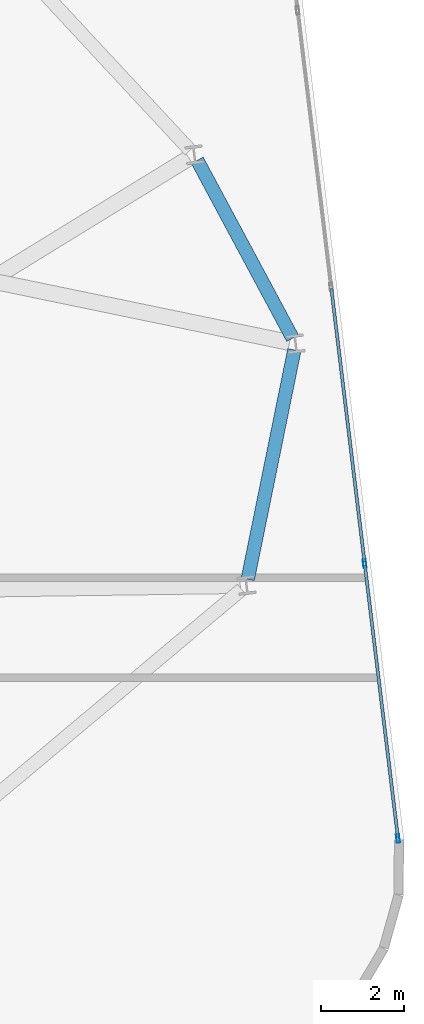
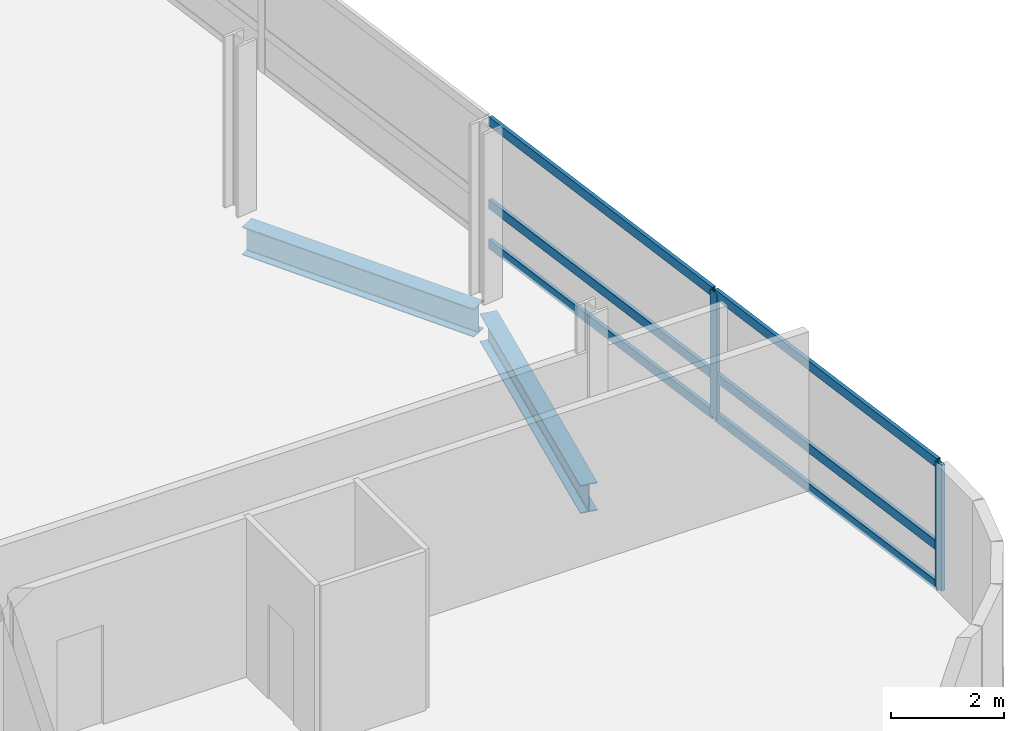
# One storey, part 10 of 23: 8 members, 2 beams, 1 element without a shape of its own.
"""IFC4 building model written with IfcOpenShell, lengths in metres."""

from ifc_helpers import new_model, si_unit, direction, frame, origin, origin_2d, place, context, subcontext, project, spatial, hollow_rectangle, i_section, extrude, material, layer, layer_set, material_profile, profile_set, type_object, element, aggregate, save


model = new_model("IFC4")

# Units and contexts
model_context = context("Model", 3, precision=1e-05, world=origin(), true_north=direction((0.0, 1.0)))
body_context = subcontext(model_context, "Body", "Model", "MODEL_VIEW")
ifc_project = project(units=[si_unit("LENGTHUNIT", "METRE"), si_unit("AREAUNIT", "SQUARE_METRE"), si_unit("VOLUMEUNIT", "CUBIC_METRE"), si_unit("PLANEANGLEUNIT", "RADIAN"), si_unit("MASSUNIT", "GRAM", prefix="KILO")], contexts=[model_context])

# Site, building, storey
site_placement = place(None, origin())
site = spatial("IfcSite", under=ifc_project, at=site_placement, CompositionType="ELEMENT")
building_placement = place(site_placement, origin())
building = spatial("IfcBuilding", under=site, at=building_placement, Name="Varnelok Gate Tower", CompositionType="ELEMENT")
storey_placement = place(building_placement, frame((0.0, 0.0, 174.60009765625)))
storey = spatial("IfcBuildingStorey", under=building, at=storey_placement, Name="L44", CompositionType="ELEMENT", Elevation=174.60009765625)

# Beams
ifc_material_1 = material(Name="Structural Steel ASTM A992 Grade 50", Category="steel")
ifc_material_profile_1 = material_profile(ifc_material_1, i_section(OverallWidth=0.323974609375, OverallDepth=0.611083984375, WebThickness=0.0126953125, FlangeThickness=0.01904296875, FilletRadius=0.01806640625, at=origin_2d()), Name="W24X104")
ifc_profile_set_1 = profile_set([ifc_material_profile_1], Name="Structural Steel ASTM A992 Grade 50")
beam_type = type_object("IfcBeamType", Name="BM-SPN-W24X104", PredefinedType="SPANDREL", material=ifc_profile_set_1)
beam_1_placement = place(storey_placement, frame((72.5068359375, 19.206298828125, -0.5556640625), z_axis=(0.19911018886, 0.979977108249, 0.0), x_axis=(-0.979977108249, 0.19911018886, 0.0)))
element("IfcBeam", 1, at=beam_1_placement, inside=storey, type_object=beam_type, Name="L44 Perimeter Spandrel Beam 6", PredefinedType="SPANDREL", context=body_context, shape_type="SweptSolid", body=[
    extrude(i_section(OverallWidth=0.323974609375, OverallDepth=0.611083984375, WebThickness=0.0126953125, FlangeThickness=0.01904296875, FilletRadius=0.01806640625, at=origin_2d()), origin(), (0.0, 0.0, 1.0), 5.612060546875),
])
beam_2_placement = place(storey_placement, frame((73.583251953125, 24.9853515625, -0.5556640625), z_axis=(-0.472471917257, 0.881345725242, 0.0), x_axis=(-0.881345725242, -0.472471917257, 0.0)))
element("IfcBeam", 2, at=beam_2_placement, inside=storey, type_object=beam_type, Name="L44 Perimeter Spandrel Beam 7", PredefinedType="SPANDREL", context=body_context, shape_type="SweptSolid", body=[
    extrude(i_section(OverallWidth=0.323974609375, OverallDepth=0.611083984375, WebThickness=0.0126953125, FlangeThickness=0.01904296875, FilletRadius=0.01806640625, at=origin_2d()), origin(), (0.0, 0.0, 1.0), 4.8408203125),
])

# Curtain wall, members
ifc_material_2 = material(Name="Anodized Aluminum Alloy 6063-T6", Category="aluminium")
ifc_layer = layer(ifc_material_2, 0.179931640625)
ifc_layer_set = layer_set([ifc_layer], Name="Anodized Aluminum Alloy 6063-T6")
curtain_wall_type = type_object("IfcCurtainWallType", Name="CW4-RESIDENCE-VISION", PredefinedType="USERDEFINED", material=ifc_layer_set)
curtain_wall_placement = place(storey_placement, origin())
curtain_wall = element("IfcCurtainWall", 3, at=curtain_wall_placement, inside=storey, type_object=curtain_wall_type, Name="L44 East End Vision Curtain Wall", ObjectType="UNITISED CURTAIN WALL", PredefinedType="USERDEFINED")
ifc_material_profile_2 = material_profile(ifc_material_2, hollow_rectangle(XDim=0.074951171875, YDim=0.199951171875, WallThickness=0.00390625, at=origin_2d()), Name="ALU200X75X4")
ifc_profile_set_2 = profile_set([ifc_material_profile_2], Name="Anodized Aluminum Alloy 6063-T6")
member_type_1 = type_object("IfcMemberType", Name="CW-MULL-200", PredefinedType="MULLION", material=ifc_profile_set_2)
member_1_placement = place(storey_placement, frame((75.310302734375, 19.584228515625, 0.0), z_axis=(0.0, 0.0, 1.0), x_axis=(0.992732188751, 0.120344511371, 0.0)))
member_1 = element("IfcMember", 4, at=member_1_placement, type_object=member_type_1, Name="CW4 mullion 5", PredefinedType="MULLION", context=body_context, shape_type="SweptSolid", body=[
    extrude(hollow_rectangle(XDim=0.074951171875, YDim=0.199951171875, WallThickness=0.00390625, at=origin_2d()), origin(), (0.0, 0.0, 1.0), 2.72998046875),
])
member_2_placement = place(storey_placement, frame((76.109619140625, 12.989990234375, 0.0), z_axis=(0.0, 0.0, 1.0), x_axis=(0.992732188751, 0.120344511371, 0.0)))
member_2 = element("IfcMember", 5, at=member_2_placement, type_object=member_type_1, Name="CW4 mullion 6", PredefinedType="MULLION", context=body_context, shape_type="SweptSolid", body=[
    extrude(hollow_rectangle(XDim=0.074951171875, YDim=0.199951171875, WallThickness=0.00390625, at=origin_2d()), origin(), (0.0, 0.0, 1.0), 2.72998046875),
])
ifc_material_profile_3 = material_profile(ifc_material_2, hollow_rectangle(XDim=0.074951171875, YDim=0.199951171875, WallThickness=0.00390625, at=origin_2d()), Name="ALU200X75X4")
ifc_profile_set_3 = profile_set([ifc_material_profile_3], Name="Anodized Aluminum Alloy 6063-T6")
member_type_2 = type_object("IfcMemberType", Name="CW-TRAN-200", PredefinedType="USERDEFINED", material=ifc_profile_set_3)
member_3_placement = place(storey_placement, frame((74.510986328125, 26.178466796875, 0.037353515625), z_axis=(0.120349029092, -0.992731641078, 0.0), x_axis=(0.992731641078, 0.120349029092, 0.0)))
member_3 = element("IfcMember", 6, at=member_3_placement, type_object=member_type_2, Name="CW4 transom 4.1", ObjectType="TRANSOM", PredefinedType="USERDEFINED", context=body_context, shape_type="SweptSolid", body=[
    extrude(hollow_rectangle(XDim=0.074951171875, YDim=0.199951171875, WallThickness=0.00390625, at=origin_2d()), origin(), (0.0, 0.0, 1.0), 6.605224609375),
])
member_4_placement = place(storey_placement, frame((74.510986328125, 26.178466796875, 0.89990234375), z_axis=(0.120349029092, -0.992731641078, 0.0), x_axis=(0.992731641078, 0.120349029092, 0.0)))
member_4 = element("IfcMember", 7, at=member_4_placement, type_object=member_type_2, Name="CW4 transom 4.2", ObjectType="TRANSOM", PredefinedType="USERDEFINED", context=body_context, shape_type="SweptSolid", body=[
    extrude(hollow_rectangle(XDim=0.074951171875, YDim=0.199951171875, WallThickness=0.00390625, at=origin_2d()), origin(), (0.0, 0.0, 1.0), 6.605224609375),
])
member_5_placement = place(storey_placement, frame((74.510986328125, 26.178466796875, 2.6923828125), z_axis=(0.120349029092, -0.992731641078, 0.0), x_axis=(0.992731641078, 0.120349029092, 0.0)))
member_5 = element("IfcMember", 8, at=member_5_placement, type_object=member_type_2, Name="CW4 transom 4.3", ObjectType="TRANSOM", PredefinedType="USERDEFINED", context=body_context, shape_type="SweptSolid", body=[
    extrude(hollow_rectangle(XDim=0.074951171875, YDim=0.199951171875, WallThickness=0.00390625, at=origin_2d()), origin(), (0.0, 0.0, 1.0), 6.605224609375),
])
member_6_placement = place(storey_placement, frame((75.314697265625, 19.546875, 0.037353515625), z_axis=(0.120369113246, -0.992729206066, 0.0), x_axis=(0.992729206066, 0.120369113246, 0.0)))
member_6 = element("IfcMember", 9, at=member_6_placement, type_object=member_type_2, Name="CW4 transom 5.1", ObjectType="TRANSOM", PredefinedType="USERDEFINED", context=body_context, shape_type="SweptSolid", body=[
    extrude(hollow_rectangle(XDim=0.074951171875, YDim=0.199951171875, WallThickness=0.00390625, at=origin_2d()), origin(), (0.0, 0.0, 1.0), 6.567626953125),
])
member_7_placement = place(storey_placement, frame((75.314697265625, 19.546875, 0.89990234375), z_axis=(0.120369113246, -0.992729206066, 0.0), x_axis=(0.992729206066, 0.120369113246, 0.0)))
member_7 = element("IfcMember", 10, at=member_7_placement, type_object=member_type_2, Name="CW4 transom 5.2", ObjectType="TRANSOM", PredefinedType="USERDEFINED", context=body_context, shape_type="SweptSolid", body=[
    extrude(hollow_rectangle(XDim=0.074951171875, YDim=0.199951171875, WallThickness=0.00390625, at=origin_2d()), origin(), (0.0, 0.0, 1.0), 6.567626953125),
])
member_8_placement = place(storey_placement, frame((75.314697265625, 19.546875, 2.6923828125), z_axis=(0.120369113246, -0.992729206066, 0.0), x_axis=(0.992729206066, 0.120369113246, 0.0)))
member_8 = element("IfcMember", 11, at=member_8_placement, type_object=member_type_2, Name="CW4 transom 5.3", ObjectType="TRANSOM", PredefinedType="USERDEFINED", context=body_context, shape_type="SweptSolid", body=[
    extrude(hollow_rectangle(XDim=0.074951171875, YDim=0.199951171875, WallThickness=0.00390625, at=origin_2d()), origin(), (0.0, 0.0, 1.0), 6.567626953125),
])
aggregate(curtain_wall, [member_1, member_2, member_3, member_4, member_5, member_6, member_7, member_8])

save(model, "model.ifc")
